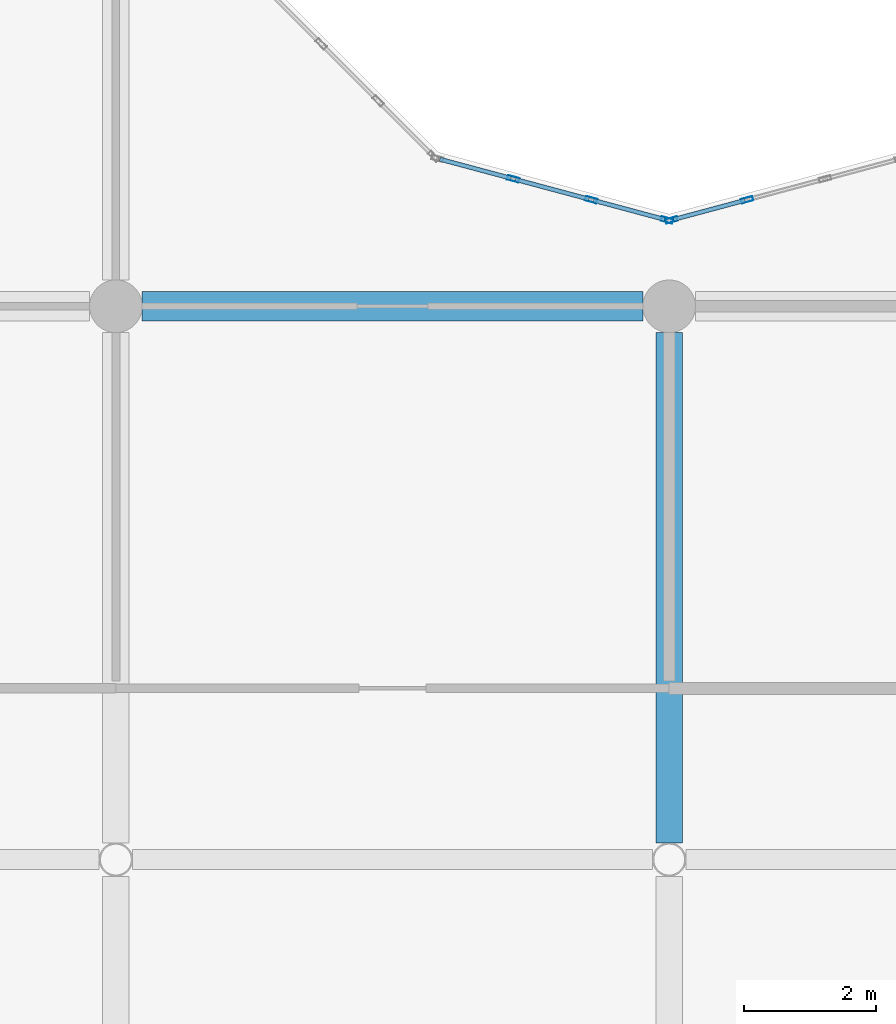
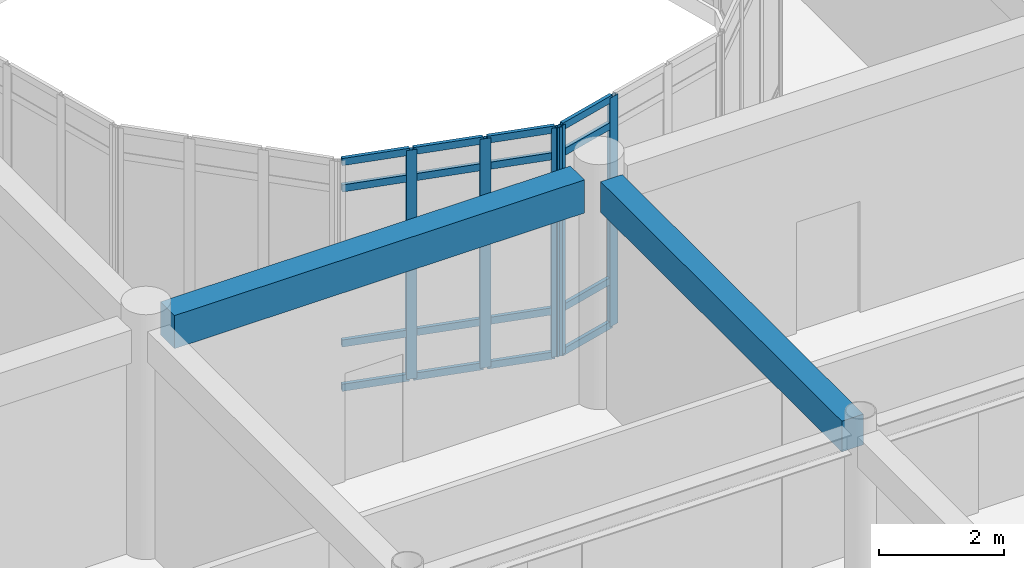
# One storey, part 34 of 138: 21 members, 2 beams, 2 elements without a shape of their own.
"""IFC4 building model written with IfcOpenShell, lengths in metres."""

from ifc_helpers import new_model, si_unit, direction, frame, origin, origin_2d, place, context, subcontext, project, spatial, rectangle, hollow_rectangle, extrude, material, layer, layer_set, material_profile, profile_set, type_object, element, aggregate, save


model = new_model("IFC4")

# Units and contexts
model_context = context("Model", 3, precision=1e-05, world=origin(), true_north=direction((0.0, 1.0)))
body_context = subcontext(model_context, "Body", "Model", "MODEL_VIEW")
ifc_project = project(units=[si_unit("LENGTHUNIT", "METRE"), si_unit("AREAUNIT", "SQUARE_METRE"), si_unit("VOLUMEUNIT", "CUBIC_METRE"), si_unit("PLANEANGLEUNIT", "RADIAN"), si_unit("MASSUNIT", "GRAM", prefix="KILO")], contexts=[model_context])

# Site, building, storey
site_placement = place(None, origin())
site = spatial("IfcSite", under=ifc_project, at=site_placement, CompositionType="ELEMENT")
building_placement = place(site_placement, origin())
building = spatial("IfcBuilding", under=site, at=building_placement, Name="Bramfleet General Hospital", CompositionType="ELEMENT")
storey_placement = place(building_placement, origin())
storey = spatial("IfcBuildingStorey", under=building, at=storey_placement, Name="L00", CompositionType="ELEMENT", Elevation=0.0)

# Beams
ifc_material_1 = material(Name="Concrete C35/45", Category="concrete")
ifc_material_profile_1 = material_profile(ifc_material_1, rectangle(XDim=0.39990234375, YDim=0.60009765625, at=origin_2d()), Name="RC BM 600x400")
ifc_profile_set_1 = profile_set([ifc_material_profile_1], Name="Concrete C35/45")
beam_type_1 = type_object("IfcBeamType", Name="BM-RC600", PredefinedType="BEAM", material=ifc_profile_set_1)
beam_1_placement = place(storey_placement, frame((84.0, 59.053955078125, 4.199951171875), z_axis=(0.0, 1.0, 0.0), x_axis=(-1.0, 0.0, 0.0)))
element("IfcBeam", 1, at=beam_1_placement, inside=storey, type_object=beam_type_1, Name="L00 Grid Beam Y 10-07", PredefinedType="BEAM", context=body_context, shape_type="SweptSolid", body=[
    extrude(rectangle(XDim=0.39990234375, YDim=0.60009765625, at=origin_2d()), origin(), (0.0, 0.0, 1.0), 7.74609375),
])
ifc_material_profile_2 = material_profile(ifc_material_1, rectangle(XDim=0.449951171875, YDim=0.64990234375, at=origin_2d()), Name="RC BM 650x450")
ifc_profile_set_2 = profile_set([ifc_material_profile_2], Name="Concrete C35/45")
beam_type_2 = type_object("IfcBeamType", Name="BM-RC650", PredefinedType="BEAM", material=ifc_profile_set_2)
beam_2_placement = place(storey_placement, frame((76.0, 67.199951171875, 4.175048828125), z_axis=(1.0, 0.0, 0.0), x_axis=(0.0, 1.0, 0.0)))
element("IfcBeam", 2, at=beam_2_placement, inside=storey, type_object=beam_type_2, Name="L00 Grid Beam X 09-08", PredefinedType="BEAM", context=body_context, shape_type="SweptSolid", body=[
    extrude(rectangle(XDim=0.449951171875, YDim=0.64990234375, at=origin_2d()), origin(), (0.0, 0.0, 1.0), 7.60009765625),
])

# Curtain wall, members
ifc_material_2 = material(Name="Anodised aluminium and low-E triple glazing", Category="aluminium")
ifc_layer_1 = layer(ifc_material_2, 0.179931640625, Name="CWT-CW-11")
ifc_layer_set_1 = layer_set([ifc_layer_1], Name="Anodised aluminium and low-E triple glazing")
curtain_wall_type_1 = type_object("IfcCurtainWallType", Name="CWT-CW-11", PredefinedType="USERDEFINED", material=ifc_layer_set_1)
curtain_wall_1_placement = place(storey_placement, origin())
curtain_wall_1 = element("IfcCurtainWall", 3, at=curtain_wall_1_placement, inside=storey, type_object=curtain_wall_type_1, Name="L00 Central Diagnostic Light Court Curtain Wall 3.1", ObjectType="Stick curtain wall", PredefinedType="USERDEFINED")
ifc_material_3 = material(Name="Anodised aluminium EN AW-6060", Category="aluminium")
ifc_material_profile_3 = material_profile(ifc_material_3, hollow_rectangle(XDim=0.070068359375, YDim=0.179931640625, WallThickness=0.00390625, at=origin_2d()), Name="ALU 180x70x4.0")
ifc_profile_set_3 = profile_set([ifc_material_profile_3], Name="Anodised aluminium EN AW-6060")
member_type_1 = type_object("IfcMemberType", Name="CWM-ALU180", PredefinedType="MULLION", material=ifc_profile_set_3)
member_1_placement = place(storey_placement, frame((81.63330078125, 69.134033203125, 0.0), z_axis=(0.0, 0.0, 1.0), x_axis=(0.258763286618, 0.965940765005, 0.0)))
member_1 = element("IfcMember", 4, at=member_1_placement, type_object=member_type_1, Name="CW-11 mullion 2", PredefinedType="MULLION", context=body_context, shape_type="SweptSolid", body=[
    extrude(hollow_rectangle(XDim=0.070068359375, YDim=0.179931640625, WallThickness=0.00390625, at=origin_2d()), origin(), (0.0, 0.0, 1.0), 4.489990234375),
])
member_2_placement = place(storey_placement, frame((82.816650390625, 68.81689453125, 0.0), z_axis=(0.0, 0.0, 1.0), x_axis=(0.258763286618, 0.965940765005, 0.0)))
member_2 = element("IfcMember", 5, at=member_2_placement, type_object=member_type_1, Name="CW-11 mullion 3", PredefinedType="MULLION", context=body_context, shape_type="SweptSolid", body=[
    extrude(hollow_rectangle(XDim=0.070068359375, YDim=0.179931640625, WallThickness=0.00390625, at=origin_2d()), origin(), (0.0, 0.0, 1.0), 4.489990234375),
])
member_3_placement = place(storey_placement, frame((83.96630859375, 68.509033203125, 0.0), z_axis=(0.0, 0.0, 1.0), x_axis=(0.258763286618, 0.965940765005, 0.0)))
member_3 = element("IfcMember", 6, at=member_3_placement, type_object=member_type_1, Name="CW-11 mullion 4", PredefinedType="MULLION", context=body_context, shape_type="SweptSolid", body=[
    extrude(hollow_rectangle(XDim=0.070068359375, YDim=0.179931640625, WallThickness=0.00390625, at=origin_2d()), origin(), (0.0, 0.0, 1.0), 4.489990234375),
])

ifc_layer_2 = layer(ifc_material_2, 0.179931640625, Name="CWT-CW-12")
ifc_layer_set_2 = layer_set([ifc_layer_2], Name="Anodised aluminium and low-E triple glazing")
curtain_wall_type_2 = type_object("IfcCurtainWallType", Name="CWT-CW-12", PredefinedType="USERDEFINED", material=ifc_layer_set_2)
curtain_wall_2_placement = place(storey_placement, origin())
curtain_wall_2 = element("IfcCurtainWall", 7, at=curtain_wall_2_placement, inside=storey, type_object=curtain_wall_type_2, Name="L00 Central Diagnostic Light Court Curtain Wall 4.1", ObjectType="Stick curtain wall", PredefinedType="USERDEFINED")
member_4_placement = place(storey_placement, frame((84.03369140625, 68.509033203125, 0.0), z_axis=(0.0, 0.0, 1.0), x_axis=(-0.258763286618, 0.965940765005, 0.0)))
member_4 = element("IfcMember", 8, at=member_4_placement, type_object=member_type_1, Name="CW-12 mullion 1", PredefinedType="MULLION", context=body_context, shape_type="SweptSolid", body=[
    extrude(hollow_rectangle(XDim=0.070068359375, YDim=0.179931640625, WallThickness=0.00390625, at=origin_2d()), origin(), (0.0, 0.0, 1.0), 4.489990234375),
])
member_5_placement = place(storey_placement, frame((85.183349609375, 68.81689453125, 0.0), z_axis=(0.0, 0.0, 1.0), x_axis=(-0.258763286618, 0.965940765005, 0.0)))
member_5 = element("IfcMember", 9, at=member_5_placement, type_object=member_type_1, Name="CW-12 mullion 2", PredefinedType="MULLION", context=body_context, shape_type="SweptSolid", body=[
    extrude(hollow_rectangle(XDim=0.070068359375, YDim=0.179931640625, WallThickness=0.00390625, at=origin_2d()), origin(), (0.0, 0.0, 1.0), 4.489990234375),
])

# Member
ifc_material_profile_4 = material_profile(ifc_material_3, hollow_rectangle(XDim=0.06494140625, YDim=0.139892578125, WallThickness=0.00390625, at=origin_2d()), Name="ALU 140x65x4.0")
ifc_profile_set_4 = profile_set([ifc_material_profile_4], Name="Anodised aluminium EN AW-6060")
member_type_2 = type_object("IfcMemberType", Name="CWT-ALU140", PredefinedType="USERDEFINED", material=ifc_profile_set_4)
member_6_placement = place(storey_placement, frame((80.517578125, 69.432861328125, 0.032470703125), z_axis=(0.965955832691, -0.25870703371, 0.0), x_axis=(0.25870703371, 0.965955832691, 0.0)))
member_6 = element("IfcMember", 10, at=member_6_placement, type_object=member_type_2, Name="CW-11 transom 1.1", ObjectType="TRANSOM", PredefinedType="USERDEFINED", context=body_context, shape_type="SweptSolid", body=[
    extrude(hollow_rectangle(XDim=0.06494140625, YDim=0.139892578125, WallThickness=0.00390625, at=origin_2d()), origin(), (0.0, 0.0, 1.0), 1.1201171875),
])

member_7_placement = place(storey_placement, frame((80.517578125, 69.432861328125, 0.89990234375), z_axis=(0.965955832691, -0.25870703371, 0.0), x_axis=(0.25870703371, 0.965955832691, 0.0)))
member_7 = element("IfcMember", 11, at=member_7_placement, type_object=member_type_2, Name="CW-11 transom 1.2", ObjectType="TRANSOM", PredefinedType="USERDEFINED", context=body_context, shape_type="SweptSolid", body=[
    extrude(hollow_rectangle(XDim=0.06494140625, YDim=0.139892578125, WallThickness=0.00390625, at=origin_2d()), origin(), (0.0, 0.0, 1.0), 1.1201171875),
])

member_8_placement = place(storey_placement, frame((80.517578125, 69.432861328125, 3.93994140625), z_axis=(0.965955832691, -0.25870703371, 0.0), x_axis=(0.25870703371, 0.965955832691, 0.0)))
member_8 = element("IfcMember", 12, at=member_8_placement, type_object=member_type_2, Name="CW-11 transom 1.3", ObjectType="TRANSOM", PredefinedType="USERDEFINED", context=body_context, shape_type="SweptSolid", body=[
    extrude(hollow_rectangle(XDim=0.06494140625, YDim=0.139892578125, WallThickness=0.00390625, at=origin_2d()), origin(), (0.0, 0.0, 1.0), 1.1201171875),
])

member_9_placement = place(storey_placement, frame((80.517578125, 69.432861328125, 4.45751953125), z_axis=(0.965955832691, -0.25870703371, 0.0), x_axis=(0.25870703371, 0.965955832691, 0.0)))
member_9 = element("IfcMember", 13, at=member_9_placement, type_object=member_type_2, Name="CW-11 transom 1.4", ObjectType="TRANSOM", PredefinedType="USERDEFINED", context=body_context, shape_type="SweptSolid", body=[
    extrude(hollow_rectangle(XDim=0.06494140625, YDim=0.139892578125, WallThickness=0.00390625, at=origin_2d()), origin(), (0.0, 0.0, 1.0), 1.1201171875),
])

member_10_placement = place(storey_placement, frame((81.667236328125, 69.125, 0.032470703125), z_axis=(0.965953711242, -0.258714954608, 0.0), x_axis=(0.258714954608, 0.965953711242, 0.0)))
member_10 = element("IfcMember", 14, at=member_10_placement, type_object=member_type_2, Name="CW-11 transom 2.1", ObjectType="TRANSOM", PredefinedType="USERDEFINED", context=body_context, shape_type="SweptSolid", body=[
    extrude(hollow_rectangle(XDim=0.06494140625, YDim=0.139892578125, WallThickness=0.00390625, at=origin_2d()), origin(), (0.0, 0.0, 1.0), 1.155029296875),
])

member_11_placement = place(storey_placement, frame((81.667236328125, 69.125, 0.89990234375), z_axis=(0.965953711242, -0.258714954608, 0.0), x_axis=(0.258714954608, 0.965953711242, 0.0)))
member_11 = element("IfcMember", 15, at=member_11_placement, type_object=member_type_2, Name="CW-11 transom 2.2", ObjectType="TRANSOM", PredefinedType="USERDEFINED", context=body_context, shape_type="SweptSolid", body=[
    extrude(hollow_rectangle(XDim=0.06494140625, YDim=0.139892578125, WallThickness=0.00390625, at=origin_2d()), origin(), (0.0, 0.0, 1.0), 1.155029296875),
])

member_12_placement = place(storey_placement, frame((81.667236328125, 69.125, 3.93994140625), z_axis=(0.965953711242, -0.258714954608, 0.0), x_axis=(0.258714954608, 0.965953711242, 0.0)))
member_12 = element("IfcMember", 16, at=member_12_placement, type_object=member_type_2, Name="CW-11 transom 2.3", ObjectType="TRANSOM", PredefinedType="USERDEFINED", context=body_context, shape_type="SweptSolid", body=[
    extrude(hollow_rectangle(XDim=0.06494140625, YDim=0.139892578125, WallThickness=0.00390625, at=origin_2d()), origin(), (0.0, 0.0, 1.0), 1.155029296875),
])

member_13_placement = place(storey_placement, frame((81.667236328125, 69.125, 4.45751953125), z_axis=(0.965953711242, -0.258714954608, 0.0), x_axis=(0.258714954608, 0.965953711242, 0.0)))
member_13 = element("IfcMember", 17, at=member_13_placement, type_object=member_type_2, Name="CW-11 transom 2.4", ObjectType="TRANSOM", PredefinedType="USERDEFINED", context=body_context, shape_type="SweptSolid", body=[
    extrude(hollow_rectangle(XDim=0.06494140625, YDim=0.139892578125, WallThickness=0.00390625, at=origin_2d()), origin(), (0.0, 0.0, 1.0), 1.155029296875),
])

member_14_placement = place(storey_placement, frame((82.8505859375, 68.807861328125, 0.032470703125), z_axis=(0.965941240814, -0.258761510459, 0.0), x_axis=(0.258761510459, 0.965941240814, 0.0)))
member_14 = element("IfcMember", 18, at=member_14_placement, type_object=member_type_2, Name="CW-11 transom 3.1", ObjectType="TRANSOM", PredefinedType="USERDEFINED", context=body_context, shape_type="SweptSolid", body=[
    extrude(hollow_rectangle(XDim=0.06494140625, YDim=0.139892578125, WallThickness=0.00390625, at=origin_2d()), origin(), (0.0, 0.0, 1.0), 1.119873046875),
])

member_15_placement = place(storey_placement, frame((82.8505859375, 68.807861328125, 0.89990234375), z_axis=(0.965941240814, -0.258761510459, 0.0), x_axis=(0.258761510459, 0.965941240814, 0.0)))
member_15 = element("IfcMember", 19, at=member_15_placement, type_object=member_type_2, Name="CW-11 transom 3.2", ObjectType="TRANSOM", PredefinedType="USERDEFINED", context=body_context, shape_type="SweptSolid", body=[
    extrude(hollow_rectangle(XDim=0.06494140625, YDim=0.139892578125, WallThickness=0.00390625, at=origin_2d()), origin(), (0.0, 0.0, 1.0), 1.119873046875),
])

member_16_placement = place(storey_placement, frame((82.8505859375, 68.807861328125, 3.93994140625), z_axis=(0.965941240814, -0.258761510459, 0.0), x_axis=(0.258761510459, 0.965941240814, 0.0)))
member_16 = element("IfcMember", 20, at=member_16_placement, type_object=member_type_2, Name="CW-11 transom 3.3", ObjectType="TRANSOM", PredefinedType="USERDEFINED", context=body_context, shape_type="SweptSolid", body=[
    extrude(hollow_rectangle(XDim=0.06494140625, YDim=0.139892578125, WallThickness=0.00390625, at=origin_2d()), origin(), (0.0, 0.0, 1.0), 1.119873046875),
])

member_17_placement = place(storey_placement, frame((82.8505859375, 68.807861328125, 4.45751953125), z_axis=(0.965941240814, -0.258761510459, 0.0), x_axis=(0.258761510459, 0.965941240814, 0.0)))
member_17 = element("IfcMember", 21, at=member_17_placement, type_object=member_type_2, Name="CW-11 transom 3.4", ObjectType="TRANSOM", PredefinedType="USERDEFINED", context=body_context, shape_type="SweptSolid", body=[
    extrude(hollow_rectangle(XDim=0.06494140625, YDim=0.139892578125, WallThickness=0.00390625, at=origin_2d()), origin(), (0.0, 0.0, 1.0), 1.119873046875),
])

aggregate(curtain_wall_1, [member_1, member_2, member_3, member_6, member_7, member_8, member_9, member_10, member_11, member_12, member_13, member_14, member_15, member_16, member_17])

member_18_placement = place(storey_placement, frame((84.067626953125, 68.51806640625, 0.032470703125), z_axis=(0.965941240814, 0.258761510459, 0.0), x_axis=(-0.258761510459, 0.965941240814, 0.0)))
member_18 = element("IfcMember", 22, at=member_18_placement, type_object=member_type_2, Name="CW-12 transom 1.1", ObjectType="TRANSOM", PredefinedType="USERDEFINED", context=body_context, shape_type="SweptSolid", body=[
    extrude(hollow_rectangle(XDim=0.06494140625, YDim=0.139892578125, WallThickness=0.00390625, at=origin_2d()), origin(), (0.0, 0.0, 1.0), 1.119873046875),
])

member_19_placement = place(storey_placement, frame((84.067626953125, 68.51806640625, 0.89990234375), z_axis=(0.965941240814, 0.258761510459, 0.0), x_axis=(-0.258761510459, 0.965941240814, 0.0)))
member_19 = element("IfcMember", 23, at=member_19_placement, type_object=member_type_2, Name="CW-12 transom 1.2", ObjectType="TRANSOM", PredefinedType="USERDEFINED", context=body_context, shape_type="SweptSolid", body=[
    extrude(hollow_rectangle(XDim=0.06494140625, YDim=0.139892578125, WallThickness=0.00390625, at=origin_2d()), origin(), (0.0, 0.0, 1.0), 1.119873046875),
])

member_20_placement = place(storey_placement, frame((84.067626953125, 68.51806640625, 3.93994140625), z_axis=(0.965941240814, 0.258761510459, 0.0), x_axis=(-0.258761510459, 0.965941240814, 0.0)))
member_20 = element("IfcMember", 24, at=member_20_placement, type_object=member_type_2, Name="CW-12 transom 1.3", ObjectType="TRANSOM", PredefinedType="USERDEFINED", context=body_context, shape_type="SweptSolid", body=[
    extrude(hollow_rectangle(XDim=0.06494140625, YDim=0.139892578125, WallThickness=0.00390625, at=origin_2d()), origin(), (0.0, 0.0, 1.0), 1.119873046875),
])

member_21_placement = place(storey_placement, frame((84.067626953125, 68.51806640625, 4.45751953125), z_axis=(0.965941240814, 0.258761510459, 0.0), x_axis=(-0.258761510459, 0.965941240814, 0.0)))
member_21 = element("IfcMember", 25, at=member_21_placement, type_object=member_type_2, Name="CW-12 transom 1.4", ObjectType="TRANSOM", PredefinedType="USERDEFINED", context=body_context, shape_type="SweptSolid", body=[
    extrude(hollow_rectangle(XDim=0.06494140625, YDim=0.139892578125, WallThickness=0.00390625, at=origin_2d()), origin(), (0.0, 0.0, 1.0), 1.119873046875),
])

aggregate(curtain_wall_2, [member_4, member_5, member_18, member_19, member_20, member_21])

save(model, "model.ifc")
